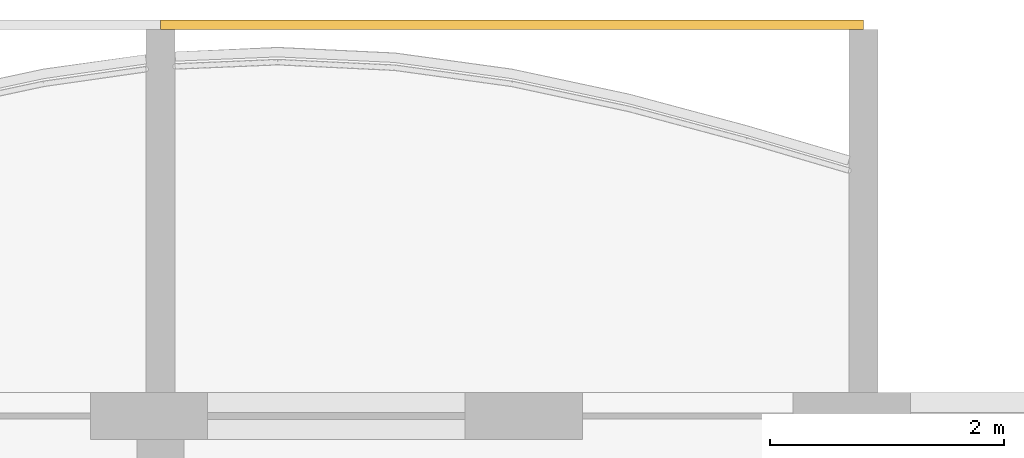
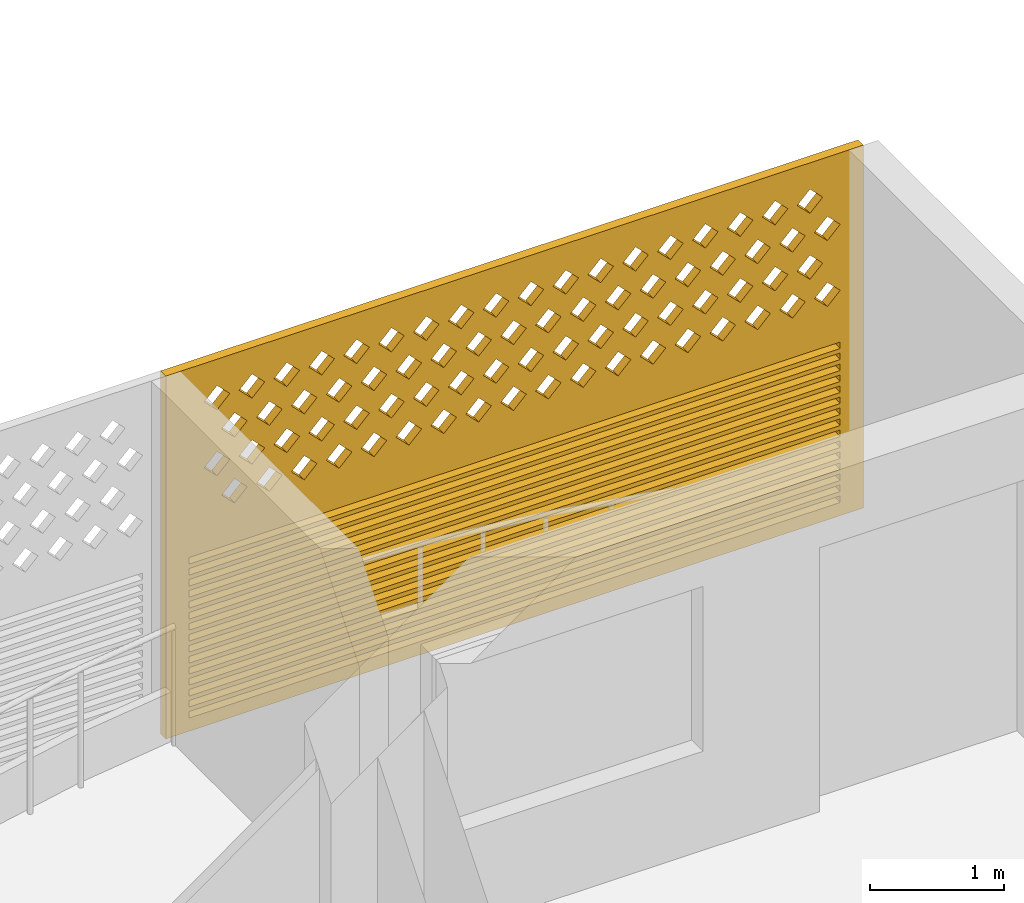
# One storey, part 23 of 40: 1 covering.
"""IFC4 building model written with IfcOpenShell, lengths in metres."""

from ifc_helpers import new_model, si_unit, direction, frame, origin, place, context, subcontext, project, spatial, polyline, outline, extrude, source, transform, mapped, material, material_profile, profile_set, type_object, element, save


model = new_model("IFC4")

# Units and contexts
model_context = context("Model", 3, precision=1e-05, world=origin(), true_north=direction((0.0, 1.0)))
body_context = subcontext(model_context, "Body", "Model", "MODEL_VIEW")
ifc_project = project(units=[si_unit("LENGTHUNIT", "METRE"), si_unit("AREAUNIT", "SQUARE_METRE"), si_unit("VOLUMEUNIT", "CUBIC_METRE"), si_unit("PLANEANGLEUNIT", "RADIAN"), si_unit("MASSUNIT", "GRAM", prefix="KILO")], contexts=[model_context])

# Site, building, storey
site_placement = place(None, origin())
site = spatial("IfcSite", under=ifc_project, at=site_placement, CompositionType="ELEMENT")
building_placement = place(site_placement, origin())
building = spatial("IfcBuilding", under=site, at=building_placement, Name="Poui Terraces", CompositionType="ELEMENT")
storey_placement = place(building_placement, frame((0.0, 0.0, 33.300048828125)))
storey = spatial("IfcBuildingStorey", under=building, at=storey_placement, Name="L08", CompositionType="ELEMENT", Elevation=33.300048828125)

# Covering
ifc_material = material(Name="Terracotta screen", Category="masonry")
ifc_material_profile = material_profile(ifc_material, outline(polyline([(-3.0, -1.64990234375), (3.0, -1.64990234375), (3.0, 1.64990234375), (-3.0, 1.64990234375), (-3.0, -1.64990234375)]), holes=[polyline([(-2.800048828125, 0.39990234375), (-2.68994140625, 0.2900390625), (-2.580078125, 0.39990234375), (-2.68994140625, 0.510009765625), (-2.800048828125, 0.39990234375)]), polyline([(-2.5, 0.39990234375), (-2.389892578125, 0.2900390625), (-2.280029296875, 0.39990234375), (-2.389892578125, 0.510009765625), (-2.5, 0.39990234375)]), polyline([(-2.199951171875, 0.39990234375), (-2.090087890625, 0.2900390625), (-1.97998046875, 0.39990234375), (-2.090087890625, 0.510009765625), (-2.199951171875, 0.39990234375)]), polyline([(-1.89990234375, 0.39990234375), (-1.7900390625, 0.2900390625), (-1.679931640625, 0.39990234375), (-1.7900390625, 0.510009765625), (-1.89990234375, 0.39990234375)]), polyline([(-1.60009765625, 0.39990234375), (-1.489990234375, 0.2900390625), (-1.3798828125, 0.39990234375), (-1.489990234375, 0.510009765625), (-1.60009765625, 0.39990234375)]), polyline([(-1.300048828125, 0.39990234375), (-1.18994140625, 0.2900390625), (-1.080078125, 0.39990234375), (-1.18994140625, 0.510009765625), (-1.300048828125, 0.39990234375)]), polyline([(-1.0, 0.39990234375), (-0.889892578125, 0.2900390625), (-0.780029296875, 0.39990234375), (-0.889892578125, 0.510009765625), (-1.0, 0.39990234375)]), polyline([(-0.699951171875, 0.39990234375), (-0.590087890625, 0.2900390625), (-0.47998046875, 0.39990234375), (-0.590087890625, 0.510009765625), (-0.699951171875, 0.39990234375)]), polyline([(-0.39990234375, 0.39990234375), (-0.2900390625, 0.2900390625), (-0.179931640625, 0.39990234375), (-0.2900390625, 0.510009765625), (-0.39990234375, 0.39990234375)]), polyline([(-0.10009765625, 0.39990234375), (0.010009765625, 0.2900390625), (0.1201171875, 0.39990234375), (0.010009765625, 0.510009765625), (-0.10009765625, 0.39990234375)]), polyline([(0.199951171875, 0.39990234375), (0.31005859375, 0.2900390625), (0.419921875, 0.39990234375), (0.31005859375, 0.510009765625), (0.199951171875, 0.39990234375)]), polyline([(0.5, 0.39990234375), (0.610107421875, 0.2900390625), (0.719970703125, 0.39990234375), (0.610107421875, 0.510009765625), (0.5, 0.39990234375)]), polyline([(0.800048828125, 0.39990234375), (0.909912109375, 0.2900390625), (1.02001953125, 0.39990234375), (0.909912109375, 0.510009765625), (0.800048828125, 0.39990234375)]), polyline([(1.10009765625, 0.39990234375), (1.2099609375, 0.2900390625), (1.320068359375, 0.39990234375), (1.2099609375, 0.510009765625), (1.10009765625, 0.39990234375)]), polyline([(1.39990234375, 0.39990234375), (1.510009765625, 0.2900390625), (1.6201171875, 0.39990234375), (1.510009765625, 0.510009765625), (1.39990234375, 0.39990234375)]), polyline([(1.699951171875, 0.39990234375), (1.81005859375, 0.2900390625), (1.919921875, 0.39990234375), (1.81005859375, 0.510009765625), (1.699951171875, 0.39990234375)]), polyline([(2.0, 0.39990234375), (2.110107421875, 0.2900390625), (2.219970703125, 0.39990234375), (2.110107421875, 0.510009765625), (2.0, 0.39990234375)]), polyline([(2.300048828125, 0.39990234375), (2.409912109375, 0.2900390625), (2.52001953125, 0.39990234375), (2.409912109375, 0.510009765625), (2.300048828125, 0.39990234375)]), polyline([(-2.64990234375, 0.699951171875), (-2.5400390625, 0.590087890625), (-2.429931640625, 0.699951171875), (-2.5400390625, 0.81005859375), (-2.64990234375, 0.699951171875)]), polyline([(-2.35009765625, 0.699951171875), (-2.239990234375, 0.590087890625), (-2.1298828125, 0.699951171875), (-2.239990234375, 0.81005859375), (-2.35009765625, 0.699951171875)]), polyline([(-2.050048828125, 0.699951171875), (-1.93994140625, 0.590087890625), (-1.830078125, 0.699951171875), (-1.93994140625, 0.81005859375), (-2.050048828125, 0.699951171875)]), polyline([(-1.75, 0.699951171875), (-1.639892578125, 0.590087890625), (-1.530029296875, 0.699951171875), (-1.639892578125, 0.81005859375), (-1.75, 0.699951171875)]), polyline([(-1.449951171875, 0.699951171875), (-1.340087890625, 0.590087890625), (-1.22998046875, 0.699951171875), (-1.340087890625, 0.81005859375), (-1.449951171875, 0.699951171875)]), polyline([(-1.14990234375, 0.699951171875), (-1.0400390625, 0.590087890625), (-0.929931640625, 0.699951171875), (-1.0400390625, 0.81005859375), (-1.14990234375, 0.699951171875)]), polyline([(-0.85009765625, 0.699951171875), (-0.739990234375, 0.590087890625), (-0.6298828125, 0.699951171875), (-0.739990234375, 0.81005859375), (-0.85009765625, 0.699951171875)]), polyline([(-0.550048828125, 0.699951171875), (-0.43994140625, 0.590087890625), (-0.330078125, 0.699951171875), (-0.43994140625, 0.81005859375), (-0.550048828125, 0.699951171875)]), polyline([(-0.25, 0.699951171875), (-0.139892578125, 0.590087890625), (-0.030029296875, 0.699951171875), (-0.139892578125, 0.81005859375), (-0.25, 0.699951171875)]), polyline([(0.050048828125, 0.699951171875), (0.159912109375, 0.590087890625), (0.27001953125, 0.699951171875), (0.159912109375, 0.81005859375), (0.050048828125, 0.699951171875)]), polyline([(0.35009765625, 0.699951171875), (0.4599609375, 0.590087890625), (0.570068359375, 0.699951171875), (0.4599609375, 0.81005859375), (0.35009765625, 0.699951171875)]), polyline([(0.64990234375, 0.699951171875), (0.760009765625, 0.590087890625), (0.8701171875, 0.699951171875), (0.760009765625, 0.81005859375), (0.64990234375, 0.699951171875)]), polyline([(0.949951171875, 0.699951171875), (1.06005859375, 0.590087890625), (1.169921875, 0.699951171875), (1.06005859375, 0.81005859375), (0.949951171875, 0.699951171875)]), polyline([(1.25, 0.699951171875), (1.360107421875, 0.590087890625), (1.469970703125, 0.699951171875), (1.360107421875, 0.81005859375), (1.25, 0.699951171875)]), polyline([(1.550048828125, 0.699951171875), (1.659912109375, 0.590087890625), (1.77001953125, 0.699951171875), (1.659912109375, 0.81005859375), (1.550048828125, 0.699951171875)]), polyline([(1.85009765625, 0.699951171875), (1.9599609375, 0.590087890625), (2.070068359375, 0.699951171875), (1.9599609375, 0.81005859375), (1.85009765625, 0.699951171875)]), polyline([(2.14990234375, 0.699951171875), (2.260009765625, 0.590087890625), (2.3701171875, 0.699951171875), (2.260009765625, 0.81005859375), (2.14990234375, 0.699951171875)]), polyline([(2.449951171875, 0.699951171875), (2.56005859375, 0.590087890625), (2.669921875, 0.699951171875), (2.56005859375, 0.81005859375), (2.449951171875, 0.699951171875)]), polyline([(-2.800048828125, 1.0), (-2.68994140625, 0.889892578125), (-2.580078125, 1.0), (-2.68994140625, 1.110107421875), (-2.800048828125, 1.0)]), polyline([(-2.5, 1.0), (-2.389892578125, 0.889892578125), (-2.280029296875, 1.0), (-2.389892578125, 1.110107421875), (-2.5, 1.0)]), polyline([(-2.199951171875, 1.0), (-2.090087890625, 0.889892578125), (-1.97998046875, 1.0), (-2.090087890625, 1.110107421875), (-2.199951171875, 1.0)]), polyline([(-1.89990234375, 1.0), (-1.7900390625, 0.889892578125), (-1.679931640625, 1.0), (-1.7900390625, 1.110107421875), (-1.89990234375, 1.0)]), polyline([(-1.60009765625, 1.0), (-1.489990234375, 0.889892578125), (-1.3798828125, 1.0), (-1.489990234375, 1.110107421875), (-1.60009765625, 1.0)]), polyline([(-1.300048828125, 1.0), (-1.18994140625, 0.889892578125), (-1.080078125, 1.0), (-1.18994140625, 1.110107421875), (-1.300048828125, 1.0)]), polyline([(-1.0, 1.0), (-0.889892578125, 0.889892578125), (-0.780029296875, 1.0), (-0.889892578125, 1.110107421875), (-1.0, 1.0)]), polyline([(-0.699951171875, 1.0), (-0.590087890625, 0.889892578125), (-0.47998046875, 1.0), (-0.590087890625, 1.110107421875), (-0.699951171875, 1.0)]), polyline([(-0.39990234375, 1.0), (-0.2900390625, 0.889892578125), (-0.179931640625, 1.0), (-0.2900390625, 1.110107421875), (-0.39990234375, 1.0)]), polyline([(-0.10009765625, 1.0), (0.010009765625, 0.889892578125), (0.1201171875, 1.0), (0.010009765625, 1.110107421875), (-0.10009765625, 1.0)]), polyline([(0.199951171875, 1.0), (0.31005859375, 0.889892578125), (0.419921875, 1.0), (0.31005859375, 1.110107421875), (0.199951171875, 1.0)]), polyline([(0.5, 1.0), (0.610107421875, 0.889892578125), (0.719970703125, 1.0), (0.610107421875, 1.110107421875), (0.5, 1.0)]), polyline([(0.800048828125, 1.0), (0.909912109375, 0.889892578125), (1.02001953125, 1.0), (0.909912109375, 1.110107421875), (0.800048828125, 1.0)]), polyline([(1.10009765625, 1.0), (1.2099609375, 0.889892578125), (1.320068359375, 1.0), (1.2099609375, 1.110107421875), (1.10009765625, 1.0)]), polyline([(1.39990234375, 1.0), (1.510009765625, 0.889892578125), (1.6201171875, 1.0), (1.510009765625, 1.110107421875), (1.39990234375, 1.0)]), polyline([(1.699951171875, 1.0), (1.81005859375, 0.889892578125), (1.919921875, 1.0), (1.81005859375, 1.110107421875), (1.699951171875, 1.0)]), polyline([(2.0, 1.0), (2.110107421875, 0.889892578125), (2.219970703125, 1.0), (2.110107421875, 1.110107421875), (2.0, 1.0)]), polyline([(2.300048828125, 1.0), (2.409912109375, 0.889892578125), (2.52001953125, 1.0), (2.409912109375, 1.110107421875), (2.300048828125, 1.0)]), polyline([(-2.64990234375, 1.300048828125), (-2.5400390625, 1.18994140625), (-2.429931640625, 1.300048828125), (-2.5400390625, 1.409912109375), (-2.64990234375, 1.300048828125)]), polyline([(-2.35009765625, 1.300048828125), (-2.239990234375, 1.18994140625), (-2.1298828125, 1.300048828125), (-2.239990234375, 1.409912109375), (-2.35009765625, 1.300048828125)]), polyline([(-2.050048828125, 1.300048828125), (-1.93994140625, 1.18994140625), (-1.830078125, 1.300048828125), (-1.93994140625, 1.409912109375), (-2.050048828125, 1.300048828125)]), polyline([(-1.75, 1.300048828125), (-1.639892578125, 1.18994140625), (-1.530029296875, 1.300048828125), (-1.639892578125, 1.409912109375), (-1.75, 1.300048828125)]), polyline([(-1.449951171875, 1.300048828125), (-1.340087890625, 1.18994140625), (-1.22998046875, 1.300048828125), (-1.340087890625, 1.409912109375), (-1.449951171875, 1.300048828125)]), polyline([(-1.14990234375, 1.300048828125), (-1.0400390625, 1.18994140625), (-0.929931640625, 1.300048828125), (-1.0400390625, 1.409912109375), (-1.14990234375, 1.300048828125)]), polyline([(-0.85009765625, 1.300048828125), (-0.739990234375, 1.18994140625), (-0.6298828125, 1.300048828125), (-0.739990234375, 1.409912109375), (-0.85009765625, 1.300048828125)]), polyline([(-0.550048828125, 1.300048828125), (-0.43994140625, 1.18994140625), (-0.330078125, 1.300048828125), (-0.43994140625, 1.409912109375), (-0.550048828125, 1.300048828125)]), polyline([(-0.25, 1.300048828125), (-0.139892578125, 1.18994140625), (-0.030029296875, 1.300048828125), (-0.139892578125, 1.409912109375), (-0.25, 1.300048828125)]), polyline([(0.050048828125, 1.300048828125), (0.159912109375, 1.18994140625), (0.27001953125, 1.300048828125), (0.159912109375, 1.409912109375), (0.050048828125, 1.300048828125)]), polyline([(0.35009765625, 1.300048828125), (0.4599609375, 1.18994140625), (0.570068359375, 1.300048828125), (0.4599609375, 1.409912109375), (0.35009765625, 1.300048828125)]), polyline([(0.64990234375, 1.300048828125), (0.760009765625, 1.18994140625), (0.8701171875, 1.300048828125), (0.760009765625, 1.409912109375), (0.64990234375, 1.300048828125)]), polyline([(0.949951171875, 1.300048828125), (1.06005859375, 1.18994140625), (1.169921875, 1.300048828125), (1.06005859375, 1.409912109375), (0.949951171875, 1.300048828125)]), polyline([(1.25, 1.300048828125), (1.360107421875, 1.18994140625), (1.469970703125, 1.300048828125), (1.360107421875, 1.409912109375), (1.25, 1.300048828125)]), polyline([(1.550048828125, 1.300048828125), (1.659912109375, 1.18994140625), (1.77001953125, 1.300048828125), (1.659912109375, 1.409912109375), (1.550048828125, 1.300048828125)]), polyline([(1.85009765625, 1.300048828125), (1.9599609375, 1.18994140625), (2.070068359375, 1.300048828125), (1.9599609375, 1.409912109375), (1.85009765625, 1.300048828125)]), polyline([(2.14990234375, 1.300048828125), (2.260009765625, 1.18994140625), (2.3701171875, 1.300048828125), (2.260009765625, 1.409912109375), (2.14990234375, 1.300048828125)]), polyline([(2.449951171875, 1.300048828125), (2.56005859375, 1.18994140625), (2.669921875, 1.300048828125), (2.56005859375, 1.409912109375), (2.449951171875, 1.300048828125)]), polyline([(-2.800048828125, -1.530029296875), (2.800048828125, -1.530029296875), (2.800048828125, -1.469970703125), (-2.800048828125, -1.469970703125), (-2.800048828125, -1.530029296875)]), polyline([(-2.800048828125, -1.429931640625), (2.800048828125, -1.429931640625), (2.800048828125, -1.3701171875), (-2.800048828125, -1.3701171875), (-2.800048828125, -1.429931640625)]), polyline([(-2.800048828125, -1.330078125), (2.800048828125, -1.330078125), (2.800048828125, -1.27001953125), (-2.800048828125, -1.27001953125), (-2.800048828125, -1.330078125)]), polyline([(-2.800048828125, -1.22998046875), (2.800048828125, -1.22998046875), (2.800048828125, -1.169921875), (-2.800048828125, -1.169921875), (-2.800048828125, -1.22998046875)]), polyline([(-2.800048828125, -1.1298828125), (2.800048828125, -1.1298828125), (2.800048828125, -1.070068359375), (-2.800048828125, -1.070068359375), (-2.800048828125, -1.1298828125)]), polyline([(-2.800048828125, -1.030029296875), (2.800048828125, -1.030029296875), (2.800048828125, -0.969970703125), (-2.800048828125, -0.969970703125), (-2.800048828125, -1.030029296875)]), polyline([(-2.800048828125, -0.929931640625), (2.800048828125, -0.929931640625), (2.800048828125, -0.8701171875), (-2.800048828125, -0.8701171875), (-2.800048828125, -0.929931640625)]), polyline([(-2.800048828125, -0.830078125), (2.800048828125, -0.830078125), (2.800048828125, -0.77001953125), (-2.800048828125, -0.77001953125), (-2.800048828125, -0.830078125)]), polyline([(-2.800048828125, -0.72998046875), (2.800048828125, -0.72998046875), (2.800048828125, -0.669921875), (-2.800048828125, -0.669921875), (-2.800048828125, -0.72998046875)]), polyline([(-2.800048828125, -0.6298828125), (2.800048828125, -0.6298828125), (2.800048828125, -0.570068359375), (-2.800048828125, -0.570068359375), (-2.800048828125, -0.6298828125)]), polyline([(-2.800048828125, -0.530029296875), (2.800048828125, -0.530029296875), (2.800048828125, -0.469970703125), (-2.800048828125, -0.469970703125), (-2.800048828125, -0.530029296875)]), polyline([(-2.800048828125, -0.429931640625), (2.800048828125, -0.429931640625), (2.800048828125, -0.3701171875), (-2.800048828125, -0.3701171875), (-2.800048828125, -0.429931640625)]), polyline([(-2.800048828125, -0.330078125), (2.800048828125, -0.330078125), (2.800048828125, -0.27001953125), (-2.800048828125, -0.27001953125), (-2.800048828125, -0.330078125)]), polyline([(-2.800048828125, -0.22998046875), (2.800048828125, -0.22998046875), (2.800048828125, -0.169921875), (-2.800048828125, -0.169921875), (-2.800048828125, -0.22998046875)]), polyline([(-2.800048828125, -0.1298828125), (2.800048828125, -0.1298828125), (2.800048828125, -0.070068359375), (-2.800048828125, -0.070068359375), (-2.800048828125, -0.1298828125)])]), Name="TERRACOTTA SCREEN AND JALOUSIE LOUVRE 6000X3300")
ifc_profile_set = profile_set([ifc_material_profile], Name="Terracotta screen")
covering_type = type_object("IfcCoveringType", Name="TERRACOTTA SCREEN AND JALOUSIE LOUVRE 6000X3300", PredefinedType="CLADDING", material=ifc_profile_set)
shared_shape = source(origin(), body_context, "Body", "SweptSolid", [
    extrude(outline(polyline([(-3.0, -1.64990234375), (3.0, -1.64990234375), (3.0, 1.64990234375), (-3.0, 1.64990234375), (-3.0, -1.64990234375)]), holes=[polyline([(-2.800048828125, 0.39990234375), (-2.68994140625, 0.2900390625), (-2.580078125, 0.39990234375), (-2.68994140625, 0.510009765625), (-2.800048828125, 0.39990234375)]), polyline([(-2.5, 0.39990234375), (-2.389892578125, 0.2900390625), (-2.280029296875, 0.39990234375), (-2.389892578125, 0.510009765625), (-2.5, 0.39990234375)]), polyline([(-2.199951171875, 0.39990234375), (-2.090087890625, 0.2900390625), (-1.97998046875, 0.39990234375), (-2.090087890625, 0.510009765625), (-2.199951171875, 0.39990234375)]), polyline([(-1.89990234375, 0.39990234375), (-1.7900390625, 0.2900390625), (-1.679931640625, 0.39990234375), (-1.7900390625, 0.510009765625), (-1.89990234375, 0.39990234375)]), polyline([(-1.60009765625, 0.39990234375), (-1.489990234375, 0.2900390625), (-1.3798828125, 0.39990234375), (-1.489990234375, 0.510009765625), (-1.60009765625, 0.39990234375)]), polyline([(-1.300048828125, 0.39990234375), (-1.18994140625, 0.2900390625), (-1.080078125, 0.39990234375), (-1.18994140625, 0.510009765625), (-1.300048828125, 0.39990234375)]), polyline([(-1.0, 0.39990234375), (-0.889892578125, 0.2900390625), (-0.780029296875, 0.39990234375), (-0.889892578125, 0.510009765625), (-1.0, 0.39990234375)]), polyline([(-0.699951171875, 0.39990234375), (-0.590087890625, 0.2900390625), (-0.47998046875, 0.39990234375), (-0.590087890625, 0.510009765625), (-0.699951171875, 0.39990234375)]), polyline([(-0.39990234375, 0.39990234375), (-0.2900390625, 0.2900390625), (-0.179931640625, 0.39990234375), (-0.2900390625, 0.510009765625), (-0.39990234375, 0.39990234375)]), polyline([(-0.10009765625, 0.39990234375), (0.010009765625, 0.2900390625), (0.1201171875, 0.39990234375), (0.010009765625, 0.510009765625), (-0.10009765625, 0.39990234375)]), polyline([(0.199951171875, 0.39990234375), (0.31005859375, 0.2900390625), (0.419921875, 0.39990234375), (0.31005859375, 0.510009765625), (0.199951171875, 0.39990234375)]), polyline([(0.5, 0.39990234375), (0.610107421875, 0.2900390625), (0.719970703125, 0.39990234375), (0.610107421875, 0.510009765625), (0.5, 0.39990234375)]), polyline([(0.800048828125, 0.39990234375), (0.909912109375, 0.2900390625), (1.02001953125, 0.39990234375), (0.909912109375, 0.510009765625), (0.800048828125, 0.39990234375)]), polyline([(1.10009765625, 0.39990234375), (1.2099609375, 0.2900390625), (1.320068359375, 0.39990234375), (1.2099609375, 0.510009765625), (1.10009765625, 0.39990234375)]), polyline([(1.39990234375, 0.39990234375), (1.510009765625, 0.2900390625), (1.6201171875, 0.39990234375), (1.510009765625, 0.510009765625), (1.39990234375, 0.39990234375)]), polyline([(1.699951171875, 0.39990234375), (1.81005859375, 0.2900390625), (1.919921875, 0.39990234375), (1.81005859375, 0.510009765625), (1.699951171875, 0.39990234375)]), polyline([(2.0, 0.39990234375), (2.110107421875, 0.2900390625), (2.219970703125, 0.39990234375), (2.110107421875, 0.510009765625), (2.0, 0.39990234375)]), polyline([(2.300048828125, 0.39990234375), (2.409912109375, 0.2900390625), (2.52001953125, 0.39990234375), (2.409912109375, 0.510009765625), (2.300048828125, 0.39990234375)]), polyline([(-2.64990234375, 0.699951171875), (-2.5400390625, 0.590087890625), (-2.429931640625, 0.699951171875), (-2.5400390625, 0.81005859375), (-2.64990234375, 0.699951171875)]), polyline([(-2.35009765625, 0.699951171875), (-2.239990234375, 0.590087890625), (-2.1298828125, 0.699951171875), (-2.239990234375, 0.81005859375), (-2.35009765625, 0.699951171875)]), polyline([(-2.050048828125, 0.699951171875), (-1.93994140625, 0.590087890625), (-1.830078125, 0.699951171875), (-1.93994140625, 0.81005859375), (-2.050048828125, 0.699951171875)]), polyline([(-1.75, 0.699951171875), (-1.639892578125, 0.590087890625), (-1.530029296875, 0.699951171875), (-1.639892578125, 0.81005859375), (-1.75, 0.699951171875)]), polyline([(-1.449951171875, 0.699951171875), (-1.340087890625, 0.590087890625), (-1.22998046875, 0.699951171875), (-1.340087890625, 0.81005859375), (-1.449951171875, 0.699951171875)]), polyline([(-1.14990234375, 0.699951171875), (-1.0400390625, 0.590087890625), (-0.929931640625, 0.699951171875), (-1.0400390625, 0.81005859375), (-1.14990234375, 0.699951171875)]), polyline([(-0.85009765625, 0.699951171875), (-0.739990234375, 0.590087890625), (-0.6298828125, 0.699951171875), (-0.739990234375, 0.81005859375), (-0.85009765625, 0.699951171875)]), polyline([(-0.550048828125, 0.699951171875), (-0.43994140625, 0.590087890625), (-0.330078125, 0.699951171875), (-0.43994140625, 0.81005859375), (-0.550048828125, 0.699951171875)]), polyline([(-0.25, 0.699951171875), (-0.139892578125, 0.590087890625), (-0.030029296875, 0.699951171875), (-0.139892578125, 0.81005859375), (-0.25, 0.699951171875)]), polyline([(0.050048828125, 0.699951171875), (0.159912109375, 0.590087890625), (0.27001953125, 0.699951171875), (0.159912109375, 0.81005859375), (0.050048828125, 0.699951171875)]), polyline([(0.35009765625, 0.699951171875), (0.4599609375, 0.590087890625), (0.570068359375, 0.699951171875), (0.4599609375, 0.81005859375), (0.35009765625, 0.699951171875)]), polyline([(0.64990234375, 0.699951171875), (0.760009765625, 0.590087890625), (0.8701171875, 0.699951171875), (0.760009765625, 0.81005859375), (0.64990234375, 0.699951171875)]), polyline([(0.949951171875, 0.699951171875), (1.06005859375, 0.590087890625), (1.169921875, 0.699951171875), (1.06005859375, 0.81005859375), (0.949951171875, 0.699951171875)]), polyline([(1.25, 0.699951171875), (1.360107421875, 0.590087890625), (1.469970703125, 0.699951171875), (1.360107421875, 0.81005859375), (1.25, 0.699951171875)]), polyline([(1.550048828125, 0.699951171875), (1.659912109375, 0.590087890625), (1.77001953125, 0.699951171875), (1.659912109375, 0.81005859375), (1.550048828125, 0.699951171875)]), polyline([(1.85009765625, 0.699951171875), (1.9599609375, 0.590087890625), (2.070068359375, 0.699951171875), (1.9599609375, 0.81005859375), (1.85009765625, 0.699951171875)]), polyline([(2.14990234375, 0.699951171875), (2.260009765625, 0.590087890625), (2.3701171875, 0.699951171875), (2.260009765625, 0.81005859375), (2.14990234375, 0.699951171875)]), polyline([(2.449951171875, 0.699951171875), (2.56005859375, 0.590087890625), (2.669921875, 0.699951171875), (2.56005859375, 0.81005859375), (2.449951171875, 0.699951171875)]), polyline([(-2.800048828125, 1.0), (-2.68994140625, 0.889892578125), (-2.580078125, 1.0), (-2.68994140625, 1.110107421875), (-2.800048828125, 1.0)]), polyline([(-2.5, 1.0), (-2.389892578125, 0.889892578125), (-2.280029296875, 1.0), (-2.389892578125, 1.110107421875), (-2.5, 1.0)]), polyline([(-2.199951171875, 1.0), (-2.090087890625, 0.889892578125), (-1.97998046875, 1.0), (-2.090087890625, 1.110107421875), (-2.199951171875, 1.0)]), polyline([(-1.89990234375, 1.0), (-1.7900390625, 0.889892578125), (-1.679931640625, 1.0), (-1.7900390625, 1.110107421875), (-1.89990234375, 1.0)]), polyline([(-1.60009765625, 1.0), (-1.489990234375, 0.889892578125), (-1.3798828125, 1.0), (-1.489990234375, 1.110107421875), (-1.60009765625, 1.0)]), polyline([(-1.300048828125, 1.0), (-1.18994140625, 0.889892578125), (-1.080078125, 1.0), (-1.18994140625, 1.110107421875), (-1.300048828125, 1.0)]), polyline([(-1.0, 1.0), (-0.889892578125, 0.889892578125), (-0.780029296875, 1.0), (-0.889892578125, 1.110107421875), (-1.0, 1.0)]), polyline([(-0.699951171875, 1.0), (-0.590087890625, 0.889892578125), (-0.47998046875, 1.0), (-0.590087890625, 1.110107421875), (-0.699951171875, 1.0)]), polyline([(-0.39990234375, 1.0), (-0.2900390625, 0.889892578125), (-0.179931640625, 1.0), (-0.2900390625, 1.110107421875), (-0.39990234375, 1.0)]), polyline([(-0.10009765625, 1.0), (0.010009765625, 0.889892578125), (0.1201171875, 1.0), (0.010009765625, 1.110107421875), (-0.10009765625, 1.0)]), polyline([(0.199951171875, 1.0), (0.31005859375, 0.889892578125), (0.419921875, 1.0), (0.31005859375, 1.110107421875), (0.199951171875, 1.0)]), polyline([(0.5, 1.0), (0.610107421875, 0.889892578125), (0.719970703125, 1.0), (0.610107421875, 1.110107421875), (0.5, 1.0)]), polyline([(0.800048828125, 1.0), (0.909912109375, 0.889892578125), (1.02001953125, 1.0), (0.909912109375, 1.110107421875), (0.800048828125, 1.0)]), polyline([(1.10009765625, 1.0), (1.2099609375, 0.889892578125), (1.320068359375, 1.0), (1.2099609375, 1.110107421875), (1.10009765625, 1.0)]), polyline([(1.39990234375, 1.0), (1.510009765625, 0.889892578125), (1.6201171875, 1.0), (1.510009765625, 1.110107421875), (1.39990234375, 1.0)]), polyline([(1.699951171875, 1.0), (1.81005859375, 0.889892578125), (1.919921875, 1.0), (1.81005859375, 1.110107421875), (1.699951171875, 1.0)]), polyline([(2.0, 1.0), (2.110107421875, 0.889892578125), (2.219970703125, 1.0), (2.110107421875, 1.110107421875), (2.0, 1.0)]), polyline([(2.300048828125, 1.0), (2.409912109375, 0.889892578125), (2.52001953125, 1.0), (2.409912109375, 1.110107421875), (2.300048828125, 1.0)]), polyline([(-2.64990234375, 1.300048828125), (-2.5400390625, 1.18994140625), (-2.429931640625, 1.300048828125), (-2.5400390625, 1.409912109375), (-2.64990234375, 1.300048828125)]), polyline([(-2.35009765625, 1.300048828125), (-2.239990234375, 1.18994140625), (-2.1298828125, 1.300048828125), (-2.239990234375, 1.409912109375), (-2.35009765625, 1.300048828125)]), polyline([(-2.050048828125, 1.300048828125), (-1.93994140625, 1.18994140625), (-1.830078125, 1.300048828125), (-1.93994140625, 1.409912109375), (-2.050048828125, 1.300048828125)]), polyline([(-1.75, 1.300048828125), (-1.639892578125, 1.18994140625), (-1.530029296875, 1.300048828125), (-1.639892578125, 1.409912109375), (-1.75, 1.300048828125)]), polyline([(-1.449951171875, 1.300048828125), (-1.340087890625, 1.18994140625), (-1.22998046875, 1.300048828125), (-1.340087890625, 1.409912109375), (-1.449951171875, 1.300048828125)]), polyline([(-1.14990234375, 1.300048828125), (-1.0400390625, 1.18994140625), (-0.929931640625, 1.300048828125), (-1.0400390625, 1.409912109375), (-1.14990234375, 1.300048828125)]), polyline([(-0.85009765625, 1.300048828125), (-0.739990234375, 1.18994140625), (-0.6298828125, 1.300048828125), (-0.739990234375, 1.409912109375), (-0.85009765625, 1.300048828125)]), polyline([(-0.550048828125, 1.300048828125), (-0.43994140625, 1.18994140625), (-0.330078125, 1.300048828125), (-0.43994140625, 1.409912109375), (-0.550048828125, 1.300048828125)]), polyline([(-0.25, 1.300048828125), (-0.139892578125, 1.18994140625), (-0.030029296875, 1.300048828125), (-0.139892578125, 1.409912109375), (-0.25, 1.300048828125)]), polyline([(0.050048828125, 1.300048828125), (0.159912109375, 1.18994140625), (0.27001953125, 1.300048828125), (0.159912109375, 1.409912109375), (0.050048828125, 1.300048828125)]), polyline([(0.35009765625, 1.300048828125), (0.4599609375, 1.18994140625), (0.570068359375, 1.300048828125), (0.4599609375, 1.409912109375), (0.35009765625, 1.300048828125)]), polyline([(0.64990234375, 1.300048828125), (0.760009765625, 1.18994140625), (0.8701171875, 1.300048828125), (0.760009765625, 1.409912109375), (0.64990234375, 1.300048828125)]), polyline([(0.949951171875, 1.300048828125), (1.06005859375, 1.18994140625), (1.169921875, 1.300048828125), (1.06005859375, 1.409912109375), (0.949951171875, 1.300048828125)]), polyline([(1.25, 1.300048828125), (1.360107421875, 1.18994140625), (1.469970703125, 1.300048828125), (1.360107421875, 1.409912109375), (1.25, 1.300048828125)]), polyline([(1.550048828125, 1.300048828125), (1.659912109375, 1.18994140625), (1.77001953125, 1.300048828125), (1.659912109375, 1.409912109375), (1.550048828125, 1.300048828125)]), polyline([(1.85009765625, 1.300048828125), (1.9599609375, 1.18994140625), (2.070068359375, 1.300048828125), (1.9599609375, 1.409912109375), (1.85009765625, 1.300048828125)]), polyline([(2.14990234375, 1.300048828125), (2.260009765625, 1.18994140625), (2.3701171875, 1.300048828125), (2.260009765625, 1.409912109375), (2.14990234375, 1.300048828125)]), polyline([(2.449951171875, 1.300048828125), (2.56005859375, 1.18994140625), (2.669921875, 1.300048828125), (2.56005859375, 1.409912109375), (2.449951171875, 1.300048828125)]), polyline([(-2.800048828125, -1.530029296875), (2.800048828125, -1.530029296875), (2.800048828125, -1.469970703125), (-2.800048828125, -1.469970703125), (-2.800048828125, -1.530029296875)]), polyline([(-2.800048828125, -1.429931640625), (2.800048828125, -1.429931640625), (2.800048828125, -1.3701171875), (-2.800048828125, -1.3701171875), (-2.800048828125, -1.429931640625)]), polyline([(-2.800048828125, -1.330078125), (2.800048828125, -1.330078125), (2.800048828125, -1.27001953125), (-2.800048828125, -1.27001953125), (-2.800048828125, -1.330078125)]), polyline([(-2.800048828125, -1.22998046875), (2.800048828125, -1.22998046875), (2.800048828125, -1.169921875), (-2.800048828125, -1.169921875), (-2.800048828125, -1.22998046875)]), polyline([(-2.800048828125, -1.1298828125), (2.800048828125, -1.1298828125), (2.800048828125, -1.070068359375), (-2.800048828125, -1.070068359375), (-2.800048828125, -1.1298828125)]), polyline([(-2.800048828125, -1.030029296875), (2.800048828125, -1.030029296875), (2.800048828125, -0.969970703125), (-2.800048828125, -0.969970703125), (-2.800048828125, -1.030029296875)]), polyline([(-2.800048828125, -0.929931640625), (2.800048828125, -0.929931640625), (2.800048828125, -0.8701171875), (-2.800048828125, -0.8701171875), (-2.800048828125, -0.929931640625)]), polyline([(-2.800048828125, -0.830078125), (2.800048828125, -0.830078125), (2.800048828125, -0.77001953125), (-2.800048828125, -0.77001953125), (-2.800048828125, -0.830078125)]), polyline([(-2.800048828125, -0.72998046875), (2.800048828125, -0.72998046875), (2.800048828125, -0.669921875), (-2.800048828125, -0.669921875), (-2.800048828125, -0.72998046875)]), polyline([(-2.800048828125, -0.6298828125), (2.800048828125, -0.6298828125), (2.800048828125, -0.570068359375), (-2.800048828125, -0.570068359375), (-2.800048828125, -0.6298828125)]), polyline([(-2.800048828125, -0.530029296875), (2.800048828125, -0.530029296875), (2.800048828125, -0.469970703125), (-2.800048828125, -0.469970703125), (-2.800048828125, -0.530029296875)]), polyline([(-2.800048828125, -0.429931640625), (2.800048828125, -0.429931640625), (2.800048828125, -0.3701171875), (-2.800048828125, -0.3701171875), (-2.800048828125, -0.429931640625)]), polyline([(-2.800048828125, -0.330078125), (2.800048828125, -0.330078125), (2.800048828125, -0.27001953125), (-2.800048828125, -0.27001953125), (-2.800048828125, -0.330078125)]), polyline([(-2.800048828125, -0.22998046875), (2.800048828125, -0.22998046875), (2.800048828125, -0.169921875), (-2.800048828125, -0.169921875), (-2.800048828125, -0.22998046875)]), polyline([(-2.800048828125, -0.1298828125), (2.800048828125, -0.1298828125), (2.800048828125, -0.070068359375), (-2.800048828125, -0.070068359375), (-2.800048828125, -0.1298828125)])]), origin(), (0.0, 0.0, 1.0), 0.079833984375),
])
covering_placement = place(storey_placement, frame((15.0, 48.10009765625, 1.449951171875), z_axis=(0.0, 1.0, 0.0), x_axis=(-1.0, 0.0, 0.0)))
element("IfcCovering", 1, at=covering_placement, inside=storey, type_object=covering_type, Name="SOLAR SCREEN AND JALOUSIE LOUVRE", PredefinedType="CLADDING", context=body_context, shape_type="MappedRepresentation", body=[
    mapped(shared_shape, transform((0.0, 0.0, 0.0))),
])

save(model, "model.ifc")
